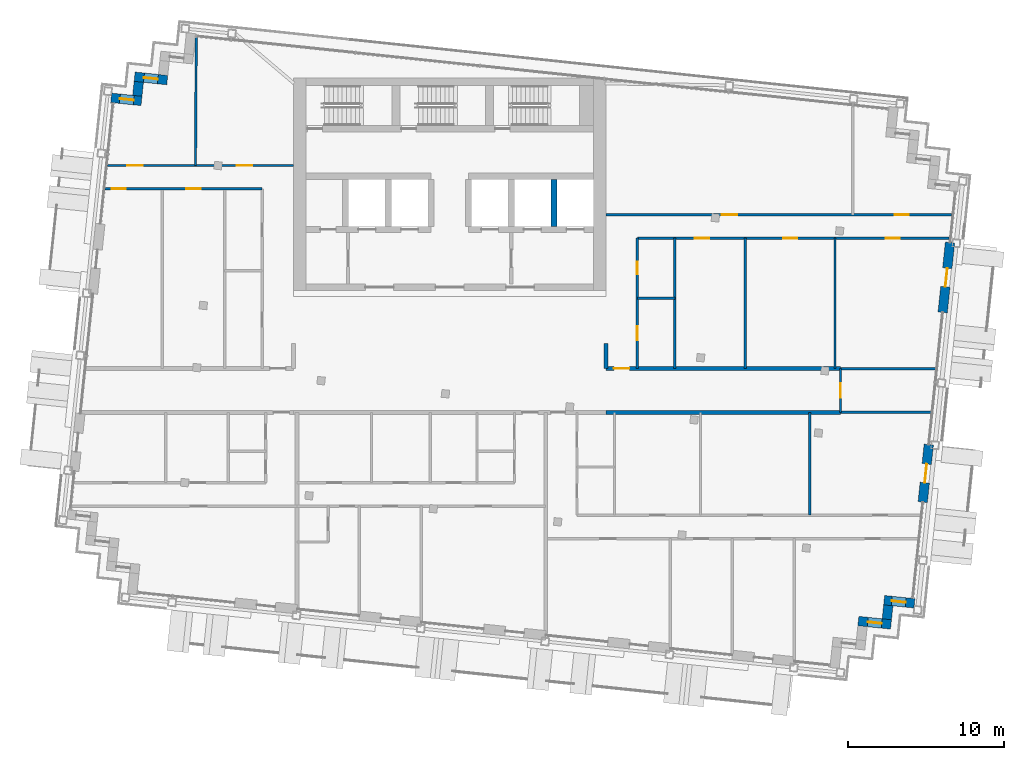
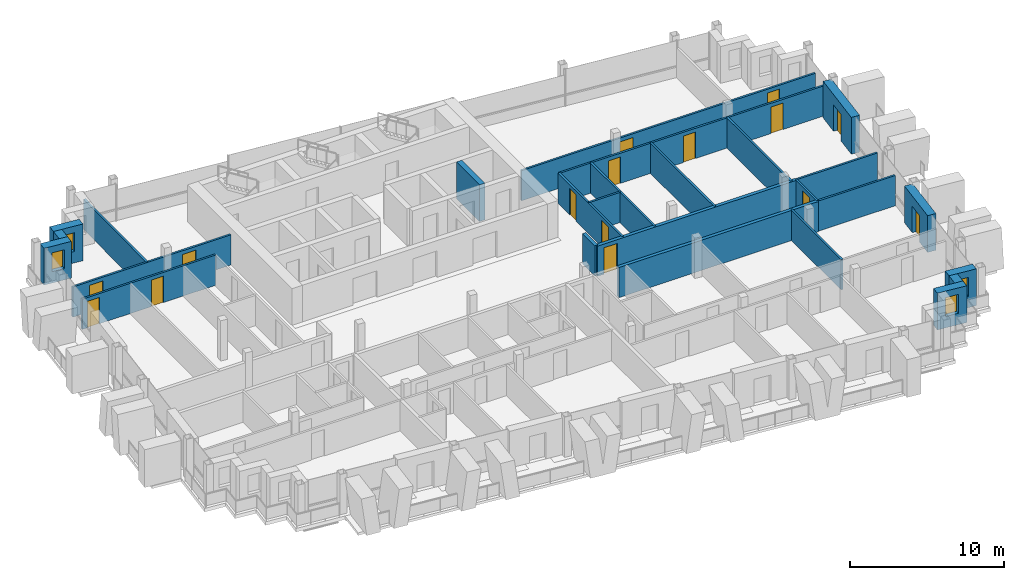
# One storey, part 11 of 16: 26 walls, 15 doors, 4 windows, 19 openings.
"""IFC4 building model written with IfcOpenShell, lengths in metres."""

from ifc_helpers import new_model, si_unit, direction, frame, frame_2d, origin, place, context, subcontext, project, spatial, rectangle, extrude, material, layer, layer_set, type_object, element, fill, save


model = new_model("IFC4")

# Units and contexts
model_context = context("Model", 3, precision=1e-05, world=origin(), true_north=direction((0.0, 1.0)))
body_context = subcontext(model_context, "Body", "Model", "MODEL_VIEW")
ifc_project = project(units=[si_unit("LENGTHUNIT", "METRE"), si_unit("AREAUNIT", "SQUARE_METRE"), si_unit("VOLUMEUNIT", "CUBIC_METRE"), si_unit("PLANEANGLEUNIT", "RADIAN"), si_unit("MASSUNIT", "GRAM", prefix="KILO")], contexts=[model_context])

# Site, building, storey
site_placement = place(None, origin())
site = spatial("IfcSite", under=ifc_project, at=site_placement, CompositionType="ELEMENT")
building_placement = place(site_placement, origin())
building = spatial("IfcBuilding", under=site, at=building_placement, Name="Vidyagriha Tower", CompositionType="ELEMENT")
storey_placement = place(building_placement, frame((0.0, 0.0, 272.300048828125)))
storey = spatial("IfcBuildingStorey", under=building, at=storey_placement, Name="L71", CompositionType="ELEMENT", Elevation=272.300048828125)

# Wall, opening, window
ifc_material_1 = material(Name="Precast concrete C40/50 with brick facing", Category="concrete")
ifc_layer_1 = layer(ifc_material_1, 0.60009765625)
ifc_layer_set_1 = layer_set([ifc_layer_1], Name="Precast concrete C40/50 with brick facing")
wall_type_1 = type_object("IfcWallType", Name="Brick-faced precast wall 600", PredefinedType="STANDARD", material=ifc_layer_set_1)
wall_1_placement = place(storey_placement, frame((-18.077392578125, 19.859130859375, 0.0), z_axis=(0.0, 0.0, 1.0), x_axis=(-0.994522640205, 0.104521376379, 0.0)))
wall_1 = element("IfcWall", 1, at=wall_1_placement, inside=storey, type_object=wall_type_1, Name="Stepped corner wall L71 R11", PredefinedType="STANDARD", context=body_context, shape_type="SweptSolid", body=[
    extrude(rectangle(XDim=2.099853515625, YDim=0.60009765625, at=frame_2d((1.0498046875, 0.0))), origin(), (0.0, 0.0, 1.0), 2.919921875),
])
opening_1_placement = place(wall_1_placement, frame((0.60009765625, 0.0, 0.89990234375)))
opening_1 = element("IfcOpeningElement", 2, at=opening_1_placement, cuts=wall_1, Name="Opening WN1", PredefinedType="OPENING", context=body_context, shape_type="SweptSolid", body=[
    extrude(rectangle(XDim=0.89990234375, YDim=1.5, at=frame_2d((0.449951171875, 0.75))), frame((0.0, 0.31005859375, 0.0), z_axis=(0.0, -1.0, 0.0), x_axis=(1.0, 0.0, 0.0)), (0.0, 0.0, 1.0), 0.6201171875),
])
ifc_material_2 = material(Name="Aluminium and glass window", Category="aluminium")
window_type = type_object("IfcWindowType", Name="Reveal window 900x1500", PartitioningType="NOTDEFINED", PredefinedType="WINDOW", material=ifc_material_2)
window_1_placement = place(opening_1_placement, origin())
window_1 = element("IfcWindow", 3, at=window_1_placement, inside=storey, type_object=window_type, Name="Reveal window L71 R11", OverallHeight=1.5, OverallWidth=0.89990234375, PartitioningType="SINGLE_PANEL", PredefinedType="WINDOW", context=body_context, shape_type="SweptSolid", body=[
    extrude(rectangle(XDim=0.89990234375, YDim=1.5, at=frame_2d((0.449951171875, 0.75))), frame((0.0, 0.030029296875, 0.0), z_axis=(0.0, -1.0, 0.0), x_axis=(1.0, 0.0, 0.0)), (0.0, 0.0, 1.0), 0.06005859375),
])
fill(opening_1, window_1)

# Wall
wall_2_placement = place(storey_placement, frame((-19.898681640625, 19.748779296875, 0.0), z_axis=(0.0, 0.0, 1.0), x_axis=(-0.104741284723, -0.994499503909, 0.0)))
element("IfcWall", 4, at=wall_2_placement, inside=storey, type_object=wall_type_1, Name="Stepped corner wall L71 R12", PredefinedType="STANDARD", context=body_context, shape_type="SweptSolid", body=[
    extrude(rectangle(XDim=0.899658203125, YDim=0.60009765625, at=frame_2d((0.44970703125, 0.0))), origin(), (0.0, 0.0, 1.0), 2.919921875),
])

# Wall, opening, window
wall_3_placement = place(storey_placement, frame((-19.725830078125, 18.5244140625, 0.0), z_axis=(0.0, 0.0, 1.0), x_axis=(-0.994534226826, 0.104411070641, 0.0)))
wall_3 = element("IfcWall", 5, at=wall_3_placement, inside=storey, type_object=wall_type_1, Name="Stepped corner wall L71 R13", PredefinedType="STANDARD", context=body_context, shape_type="SweptSolid", body=[
    extrude(rectangle(XDim=1.9501953125, YDim=0.60009765625, at=frame_2d((0.97509765625, 0.0))), origin(), (0.0, 0.0, 1.0), 2.919921875),
])
opening_2_placement = place(wall_3_placement, frame((0.489990234375, 0.0, 0.89990234375)))
opening_2 = element("IfcOpeningElement", 6, at=opening_2_placement, cuts=wall_3, Name="Opening WN1", PredefinedType="OPENING", context=body_context, shape_type="SweptSolid", body=[
    extrude(rectangle(XDim=0.89990234375, YDim=1.5, at=frame_2d((0.449951171875, 0.75))), frame((0.0, 0.31005859375, 0.0), z_axis=(0.0, -1.0, 0.0), x_axis=(1.0, 0.0, 0.0)), (0.0, 0.0, 1.0), 0.6201171875),
])
window_2_placement = place(opening_2_placement, origin())
window_2 = element("IfcWindow", 7, at=window_2_placement, inside=storey, type_object=window_type, Name="Reveal window L71 R13", OverallHeight=1.5, OverallWidth=0.89990234375, PartitioningType="SINGLE_PANEL", PredefinedType="WINDOW", context=body_context, shape_type="SweptSolid", body=[
    extrude(rectangle(XDim=0.89990234375, YDim=1.5, at=frame_2d((0.449951171875, 0.75))), frame((0.0, 0.030029296875, 0.0), z_axis=(0.0, -1.0, 0.0), x_axis=(1.0, 0.0, 0.0)), (0.0, 0.0, 1.0), 0.06005859375),
])
fill(opening_2, window_2)

wall_4_placement = place(storey_placement, frame((26.147216796875, -14.753173828125, 0.0), z_axis=(0.0, 0.0, 1.0), x_axis=(0.994522640205, -0.104521376379, 0.0)))
wall_4 = element("IfcWall", 8, at=wall_4_placement, inside=storey, type_object=wall_type_1, Name="Stepped corner wall L71 R25", PredefinedType="STANDARD", context=body_context, shape_type="SweptSolid", body=[
    extrude(rectangle(XDim=2.099853515625, YDim=0.60009765625, at=frame_2d((1.0498046875, 0.0))), origin(), (0.0, 0.0, 1.0), 2.919921875),
])
opening_3_placement = place(wall_4_placement, frame((0.599853515625, 0.0, 0.89990234375)))
opening_3 = element("IfcOpeningElement", 9, at=opening_3_placement, cuts=wall_4, Name="Opening WN1", PredefinedType="OPENING", context=body_context, shape_type="SweptSolid", body=[
    extrude(rectangle(XDim=0.89990234375, YDim=1.5, at=frame_2d((0.449951171875, 0.75))), frame((0.0, 0.31005859375, 0.0), z_axis=(0.0, -1.0, 0.0), x_axis=(1.0, 0.0, 0.0)), (0.0, 0.0, 1.0), 0.6201171875),
])
window_3_placement = place(opening_3_placement, origin())
window_3 = element("IfcWindow", 10, at=window_3_placement, inside=storey, type_object=window_type, Name="Reveal window L71 R25", OverallHeight=1.5, OverallWidth=0.89990234375, PartitioningType="SINGLE_PANEL", PredefinedType="WINDOW", context=body_context, shape_type="SweptSolid", body=[
    extrude(rectangle(XDim=0.89990234375, YDim=1.5, at=frame_2d((0.449951171875, 0.75))), frame((0.0, 0.030029296875, 0.0), z_axis=(0.0, -1.0, 0.0), x_axis=(1.0, 0.0, 0.0)), (0.0, 0.0, 1.0), 0.06005859375),
])
fill(opening_3, window_3)

# Wall
wall_5_placement = place(storey_placement, frame((27.968505859375, -14.64306640625, 0.0), z_axis=(0.0, 0.0, 1.0), x_axis=(0.104416541099, 0.994533652495, 0.0)))
element("IfcWall", 11, at=wall_5_placement, inside=storey, type_object=wall_type_1, Name="Stepped corner wall L71 R26", PredefinedType="STANDARD", context=body_context, shape_type="SweptSolid", body=[
    extrude(rectangle(XDim=0.900146484375, YDim=0.60009765625, at=frame_2d((0.4501953125, 0.0))), origin(), (0.0, 0.0, 1.0), 2.919921875),
])

# Wall, opening, window
wall_6_placement = place(storey_placement, frame((27.795654296875, -13.418212890625, 0.0), z_axis=(0.0, 0.0, 1.0), x_axis=(0.994519850893, -0.104547913319, 0.0)))
wall_6 = element("IfcWall", 12, at=wall_6_placement, inside=storey, type_object=wall_type_1, Name="Stepped corner wall L71 R27", PredefinedType="STANDARD", context=body_context, shape_type="SweptSolid", body=[
    extrude(rectangle(XDim=1.949951171875, YDim=0.60009765625, at=frame_2d((0.97509765625, 0.0))), origin(), (0.0, 0.0, 1.0), 2.919921875),
])
opening_4_placement = place(wall_6_placement, frame((0.489990234375, 0.0, 0.89990234375)))
opening_4 = element("IfcOpeningElement", 13, at=opening_4_placement, cuts=wall_6, Name="Opening WN1", PredefinedType="OPENING", context=body_context, shape_type="SweptSolid", body=[
    extrude(rectangle(XDim=0.89990234375, YDim=1.5, at=frame_2d((0.449951171875, 0.75))), frame((0.0, 0.31005859375, 0.0), z_axis=(0.0, -1.0, 0.0), x_axis=(1.0, 0.0, 0.0)), (0.0, 0.0, 1.0), 0.6201171875),
])
window_4_placement = place(opening_4_placement, origin())
window_4 = element("IfcWindow", 14, at=window_4_placement, inside=storey, type_object=window_type, Name="Reveal window L71 R27", OverallHeight=1.5, OverallWidth=0.89990234375, PartitioningType="SINGLE_PANEL", PredefinedType="WINDOW", context=body_context, shape_type="SweptSolid", body=[
    extrude(rectangle(XDim=0.89990234375, YDim=1.5, at=frame_2d((0.449951171875, 0.75))), frame((0.0, 0.030029296875, 0.0), z_axis=(0.0, -1.0, 0.0), x_axis=(1.0, 0.0, 0.0)), (0.0, 0.0, 1.0), 0.06005859375),
])
fill(opening_4, window_4)

# Wall, opening, door
wall_7_placement = place(storey_placement, frame((30.26513671875, -7.14208984375, 0.0), z_axis=(0.0, 0.0, 1.0), x_axis=(0.104513052986, 0.994523514933, 0.0)))
wall_7 = element("IfcWall", 15, at=wall_7_placement, inside=storey, type_object=wall_type_1, Name="Brick door bay wall L71 R28.3", PredefinedType="STANDARD", context=body_context, shape_type="SweptSolid", body=[
    extrude(rectangle(XDim=3.7001953125, YDim=0.60009765625, at=frame_2d((1.85009765625, 0.0))), origin(), (0.0, 0.0, 1.0), 2.919921875),
])
opening_5_placement = place(wall_7_placement, frame((1.25, 0.0, 0.0)))
opening_5 = element("IfcOpeningElement", 16, at=opening_5_placement, cuts=wall_7, Name="Opening D71-59", PredefinedType="OPENING", context=body_context, shape_type="SweptSolid", body=[
    extrude(rectangle(XDim=1.199951171875, YDim=2.10009765625, at=frame_2d((0.60009765625, 1.050048828125))), frame((0.0, 0.31005859375, 0.0), z_axis=(0.0, -1.0, 0.0), x_axis=(1.0, 0.0, 0.0)), (0.0, 0.0, 1.0), 0.6201171875),
])
ifc_material_3 = material(Name="Aluminium framed glazed sliding door", Category="aluminium")
door_type_1 = type_object("IfcDoorType", Name="Balcony sliding door 1200x2100", OperationType="NOTDEFINED", PredefinedType="DOOR", material=ifc_material_3)
door_1_placement = place(opening_5_placement, origin())
door_1 = element("IfcDoor", 17, at=door_1_placement, inside=storey, type_object=door_type_1, Name="Door D71-59", OperationType="SLIDING_TO_LEFT", OverallHeight=2.10009765625, OverallWidth=1.199951171875, PredefinedType="DOOR", context=body_context, shape_type="SweptSolid", body=[
    extrude(rectangle(XDim=1.199951171875, YDim=2.10009765625, at=frame_2d((0.60009765625, 1.050048828125))), frame((0.0, 0.02490234375, 0.0), z_axis=(0.0, -1.0, 0.0), x_axis=(1.0, 0.0, 0.0)), (0.0, 0.0, 1.0), 0.050048828125),
])
fill(opening_5, door_1)

wall_8_placement = place(storey_placement, frame((31.540283203125, 4.9912109375, 0.0), z_axis=(0.0, 0.0, 1.0), x_axis=(0.104546400045, 0.994520009974, 0.0)))
wall_8 = element("IfcWall", 18, at=wall_8_placement, inside=storey, type_object=wall_type_1, Name="Brick door bay wall L71 R28.6", PredefinedType="STANDARD", context=body_context, shape_type="SweptSolid", body=[
    extrude(rectangle(XDim=4.5, YDim=0.60009765625, at=frame_2d((2.25, 0.0))), origin(), (0.0, 0.0, 1.0), 2.919921875),
])
opening_6_placement = place(wall_8_placement, frame((1.64990234375, 0.0, 0.0)))
opening_6 = element("IfcOpeningElement", 19, at=opening_6_placement, cuts=wall_8, Name="Opening D71-60", PredefinedType="OPENING", context=body_context, shape_type="SweptSolid", body=[
    extrude(rectangle(XDim=1.199951171875, YDim=2.10009765625, at=frame_2d((0.60009765625, 1.050048828125))), frame((0.0, 0.31005859375, 0.0), z_axis=(0.0, -1.0, 0.0), x_axis=(1.0, 0.0, 0.0)), (0.0, 0.0, 1.0), 0.6201171875),
])
door_2_placement = place(opening_6_placement, origin())
door_2 = element("IfcDoor", 20, at=door_2_placement, inside=storey, type_object=door_type_1, Name="Door D71-60", OperationType="SLIDING_TO_LEFT", OverallHeight=2.10009765625, OverallWidth=1.199951171875, PredefinedType="DOOR", context=body_context, shape_type="SweptSolid", body=[
    extrude(rectangle(XDim=1.199951171875, YDim=2.10009765625, at=frame_2d((0.60009765625, 1.050048828125))), frame((0.0, 0.02490234375, 0.0), z_axis=(0.0, -1.0, 0.0), x_axis=(1.0, 0.0, 0.0)), (0.0, 0.0, 1.0), 0.050048828125),
])
fill(opening_6, door_2)

# Walls
ifc_material_4 = material(Name="Concrete C60/75", Category="concrete")
ifc_layer_2 = layer(ifc_material_4, 0.39990234375)
ifc_layer_set_2 = layer_set([ifc_layer_2], Name="Concrete C60/75")
wall_type_2 = type_object("IfcWallType", Name="Core shear wall 400 mm", PredefinedType="SHEAR", material=ifc_layer_set_2)
wall_9_placement = place(storey_placement, frame((6.666748046875, 10.5, 0.0), z_axis=(0.0, 0.0, 1.0), x_axis=(0.0, 1.0, 0.0)))
element("IfcWall", 21, at=wall_9_placement, inside=storey, type_object=wall_type_2, Name="Core bay wall N6", PredefinedType="SHEAR", context=body_context, shape_type="SweptSolid", body=[
    extrude(rectangle(XDim=3.0, YDim=0.39990234375, at=frame_2d((1.5, 0.0))), origin(), (0.0, 0.0, 1.0), 2.919921875),
])
ifc_material_5 = material(Name="Fired clay brick masonry", Category="masonry")
ifc_layer_3 = layer(ifc_material_5, 0.25)
ifc_layer_set_3 = layer_set([ifc_layer_3], Name="Fired clay brick masonry")
wall_type_3 = type_object("IfcWallType", Name="Fired clay brick corridor wall 250", PredefinedType="PARTITIONING", material=ifc_layer_set_3)
wall_10_placement = place(storey_placement, frame((25.0, -1.39990234375, 0.0), z_axis=(0.0, 0.0, 1.0), x_axis=(-1.0, 0.0, 0.0)))
element("IfcWall", 22, at=wall_10_placement, inside=storey, type_object=wall_type_3, Name="Wall all-L71-w057", PredefinedType="PARTITIONING", context=body_context, shape_type="SweptSolid", body=[
    extrude(rectangle(XDim=15.0, YDim=0.25, at=frame_2d((7.5, 0.0))), origin(), (0.0, 0.0, 1.0), 2.39990234375),
])

# Wall, opening, door
wall_11_placement = place(storey_placement, frame((10.0, 1.39990234375, 0.0)))
wall_11 = element("IfcWall", 23, at=wall_11_placement, inside=storey, type_object=wall_type_3, Name="Wall all-L71-w090", PredefinedType="PARTITIONING", context=body_context, shape_type="SweptSolid", body=[
    extrude(rectangle(XDim=15.0, YDim=0.25, at=frame_2d((7.5, 0.0))), origin(), (0.0, 0.0, 1.0), 2.39990234375),
])
opening_7_placement = place(wall_11_placement, frame((0.5, 0.0, 0.0)))
opening_7 = element("IfcOpeningElement", 24, at=opening_7_placement, cuts=wall_11, Name="Opening D71-50", PredefinedType="OPENING", context=body_context, shape_type="SweptSolid", body=[
    extrude(rectangle(XDim=1.0, YDim=2.10009765625, at=frame_2d((0.5, 1.050048828125))), frame((0.0, 0.135009765625, 0.0), z_axis=(0.0, -1.0, 0.0), x_axis=(1.0, 0.0, 0.0)), (0.0, 0.0, 1.0), 0.27001953125),
])
ifc_material_6 = material(Name="Fire-rated timber door leaf EI 60", Category="wood")
door_type_2 = type_object("IfcDoorType", Name="Flat entrance fire door 1000x2100", OperationType="NOTDEFINED", PredefinedType="DOOR", material=ifc_material_6)
door_3_placement = place(opening_7_placement, origin())
door_3 = element("IfcDoor", 25, at=door_3_placement, inside=storey, type_object=door_type_2, Name="Door D71-50", OperationType="SINGLE_SWING_LEFT", OverallHeight=2.10009765625, OverallWidth=1.0, PredefinedType="DOOR", context=body_context, shape_type="SweptSolid", body=[
    extrude(rectangle(XDim=1.0, YDim=2.10009765625, at=frame_2d((0.5, 1.050048828125))), frame((0.0, 0.02490234375, 0.0), z_axis=(0.0, -1.0, 0.0), x_axis=(1.0, 0.0, 0.0)), (0.0, 0.0, 1.0), 0.050048828125),
])
fill(opening_7, door_3)

# Walls
wall_12_placement = place(storey_placement, frame((10.0, 1.39990234375, 0.0), z_axis=(0.0, 0.0, 1.0), x_axis=(0.0, 1.0, 0.0)))
element("IfcWall", 26, at=wall_12_placement, inside=storey, type_object=wall_type_3, Name="Wall all-L71-w096", PredefinedType="PARTITIONING", context=body_context, shape_type="SweptSolid", body=[
    extrude(rectangle(XDim=1.60009765625, YDim=0.25, at=frame_2d((0.800048828125, 0.0))), origin(), (0.0, 0.0, 1.0), 2.39990234375),
])
ifc_material_7 = material(Name="Gypsum board partition")
ifc_layer_4 = layer(ifc_material_7, 0.14990234375)
ifc_layer_set_4 = layer_set([ifc_layer_4], Name="Gypsum board partition")
wall_type_4 = type_object("IfcWallType", Name="Gypsum board partition 150", PredefinedType="PARTITIONING", material=ifc_layer_set_4)
wall_13_placement = place(storey_placement, frame((23.0419921875, -1.39990234375, 0.0), z_axis=(0.0, 0.0, 1.0), x_axis=(0.0, -1.0, 0.0)))
element("IfcWall", 27, at=wall_13_placement, inside=storey, type_object=wall_type_4, Name="Wall all-L71-w041", PredefinedType="PARTITIONING", context=body_context, shape_type="SweptSolid", body=[
    extrude(rectangle(XDim=6.581787109375, YDim=0.14990234375, at=frame_2d((3.291015625, 0.0))), origin(), (0.0, 0.0, 1.0), 2.39990234375),
])
wall_14_placement = place(storey_placement, frame((30.79833984375, -1.39990234375, 0.0), z_axis=(0.0, 0.0, 1.0), x_axis=(-1.0, 0.0, 0.0)))
element("IfcWall", 28, at=wall_14_placement, inside=storey, type_object=wall_type_4, Name="Wall all-L71-w058", PredefinedType="PARTITIONING", context=body_context, shape_type="SweptSolid", body=[
    extrude(rectangle(XDim=5.79833984375, YDim=0.14990234375, at=frame_2d((2.899169921875, 0.0))), origin(), (0.0, 0.0, 1.0), 2.39990234375),
])

# Wall, openings, doors
wall_15_placement = place(storey_placement, frame((-12.0, 12.89990234375, 0.0), z_axis=(0.0, 0.0, 1.0), x_axis=(-1.0, 0.0, 0.0)))
wall_15 = element("IfcWall", 29, at=wall_15_placement, inside=storey, type_object=wall_type_4, Name="Wall all-L71-w065", PredefinedType="PARTITIONING", context=body_context, shape_type="SweptSolid", body=[
    extrude(rectangle(XDim=10.04736328125, YDim=0.14990234375, at=frame_2d((5.023681640625, 0.0))), origin(), (0.0, 0.0, 1.0), 2.39990234375),
])
opening_8_placement = place(wall_15_placement, frame((3.949951171875, 0.0, 0.0)))
opening_8 = element("IfcOpeningElement", 30, at=opening_8_placement, cuts=wall_15, Name="Opening D71-38", PredefinedType="OPENING", context=body_context, shape_type="SweptSolid", body=[
    extrude(rectangle(XDim=0.89990234375, YDim=2.10009765625, at=frame_2d((0.449951171875, 1.050048828125))), frame((0.0, 0.0849609375, 0.0), z_axis=(0.0, -1.0, 0.0), x_axis=(1.0, 0.0, 0.0)), (0.0, 0.0, 1.0), 0.169921875),
])
opening_9_placement = place(wall_15_placement, frame((8.743896484375, 0.0, 0.0)))
opening_9 = element("IfcOpeningElement", 31, at=opening_9_placement, cuts=wall_15, Name="Opening D71-39", PredefinedType="OPENING", context=body_context, shape_type="SweptSolid", body=[
    extrude(rectangle(XDim=0.89990234375, YDim=2.10009765625, at=frame_2d((0.449951171875, 1.050048828125))), frame((0.0, 0.0849609375, 0.0), z_axis=(0.0, -1.0, 0.0), x_axis=(1.0, 0.0, 0.0)), (0.0, 0.0, 1.0), 0.169921875),
])
ifc_material_8 = material(Name="Timber door leaf", Category="wood")
door_type_3 = type_object("IfcDoorType", Name="Room door 900x2100", OperationType="NOTDEFINED", PredefinedType="DOOR", material=ifc_material_8)
door_4_placement = place(opening_8_placement, origin())
door_4 = element("IfcDoor", 32, at=door_4_placement, inside=storey, type_object=door_type_3, Name="Door D71-38", OperationType="SINGLE_SWING_LEFT", OverallHeight=2.10009765625, OverallWidth=0.89990234375, PredefinedType="DOOR", context=body_context, shape_type="SweptSolid", body=[
    extrude(rectangle(XDim=0.89990234375, YDim=2.10009765625, at=frame_2d((0.449951171875, 1.050048828125))), frame((0.0, 0.02490234375, 0.0), z_axis=(0.0, -1.0, 0.0), x_axis=(1.0, 0.0, 0.0)), (0.0, 0.0, 1.0), 0.050048828125),
])
fill(opening_8, door_4)
door_5_placement = place(opening_9_placement, origin())
door_5 = element("IfcDoor", 33, at=door_5_placement, inside=storey, type_object=door_type_3, Name="Door D71-39", OperationType="SINGLE_SWING_RIGHT", OverallHeight=2.10009765625, OverallWidth=0.89990234375, PredefinedType="DOOR", context=body_context, shape_type="SweptSolid", body=[
    extrude(rectangle(XDim=0.89990234375, YDim=2.10009765625, at=frame_2d((0.449951171875, 1.050048828125))), frame((0.0, 0.02490234375, 0.0), z_axis=(0.0, -1.0, 0.0), x_axis=(1.0, 0.0, 0.0)), (0.0, 0.0, 1.0), 0.050048828125),
])
fill(opening_9, door_5)

wall_16_placement = place(storey_placement, frame((-21.889892578125, 14.39990234375, 0.0)))
wall_16 = element("IfcWall", 34, at=wall_16_placement, inside=storey, type_object=wall_type_4, Name="Wall all-L71-w068", PredefinedType="PARTITIONING", context=body_context, shape_type="SweptSolid", body=[
    extrude(rectangle(XDim=11.889892578125, YDim=0.14990234375, at=frame_2d((5.94482421875, 0.0))), origin(), (0.0, 0.0, 1.0), 2.39990234375),
])
opening_10_placement = place(wall_16_placement, frame((1.259765625, 0.0, 0.0)))
opening_10 = element("IfcOpeningElement", 35, at=opening_10_placement, cuts=wall_16, Name="Opening D71-40", PredefinedType="OPENING", context=body_context, shape_type="SweptSolid", body=[
    extrude(rectangle(XDim=1.0, YDim=2.10009765625, at=frame_2d((0.5, 1.050048828125))), frame((0.0, 0.0849609375, 0.0), z_axis=(0.0, -1.0, 0.0), x_axis=(1.0, 0.0, 0.0)), (0.0, 0.0, 1.0), 0.169921875),
])
opening_11_placement = place(wall_16_placement, frame((8.25390625, 0.0, 0.0)))
opening_11 = element("IfcOpeningElement", 36, at=opening_11_placement, cuts=wall_16, Name="Opening D71-41", PredefinedType="OPENING", context=body_context, shape_type="SweptSolid", body=[
    extrude(rectangle(XDim=1.0, YDim=2.10009765625, at=frame_2d((0.5, 1.050048828125))), frame((0.0, 0.0849609375, 0.0), z_axis=(0.0, -1.0, 0.0), x_axis=(1.0, 0.0, 0.0)), (0.0, 0.0, 1.0), 0.169921875),
])
ifc_material_9 = material(Name="Timber door leaf", Category="wood")
door_type_4 = type_object("IfcDoorType", Name="Room door 1000x2100", OperationType="NOTDEFINED", PredefinedType="DOOR", material=ifc_material_9)
door_6_placement = place(opening_10_placement, origin())
door_6 = element("IfcDoor", 37, at=door_6_placement, inside=storey, type_object=door_type_4, Name="Door D71-40", OperationType="SINGLE_SWING_LEFT", OverallHeight=2.10009765625, OverallWidth=1.0, PredefinedType="DOOR", context=body_context, shape_type="SweptSolid", body=[
    extrude(rectangle(XDim=1.0, YDim=2.10009765625, at=frame_2d((0.5, 1.050048828125))), frame((0.0, 0.02490234375, 0.0), z_axis=(0.0, -1.0, 0.0), x_axis=(1.0, 0.0, 0.0)), (0.0, 0.0, 1.0), 0.050048828125),
])
fill(opening_10, door_6)
door_7_placement = place(opening_11_placement, origin())
door_7 = element("IfcDoor", 38, at=door_7_placement, inside=storey, type_object=door_type_4, Name="Door D71-41", OperationType="SINGLE_SWING_RIGHT", OverallHeight=2.10009765625, OverallWidth=1.0, PredefinedType="DOOR", context=body_context, shape_type="SweptSolid", body=[
    extrude(rectangle(XDim=1.0, YDim=2.10009765625, at=frame_2d((0.5, 1.050048828125))), frame((0.0, 0.02490234375, 0.0), z_axis=(0.0, -1.0, 0.0), x_axis=(1.0, 0.0, 0.0)), (0.0, 0.0, 1.0), 0.050048828125),
])
fill(opening_11, door_7)

# Walls
wall_17_placement = place(storey_placement, frame((-16.221923828125, 22.6103515625, 0.0), z_axis=(0.0, 0.0, 1.0), x_axis=(-0.006095634594, -0.999981421447, 0.0)))
element("IfcWall", 39, at=wall_17_placement, inside=storey, type_object=wall_type_4, Name="Wall all-L71-w071", PredefinedType="PARTITIONING", context=body_context, shape_type="SweptSolid", body=[
    extrude(rectangle(XDim=8.210693359375, YDim=0.14990234375, at=frame_2d((4.10546875, 0.0))), origin(), (0.0, 0.0, 1.0), 2.39990234375),
])
wall_18_placement = place(storey_placement, frame((12.0, 5.89990234375, 0.0)))
element("IfcWall", 40, at=wall_18_placement, inside=storey, type_object=wall_type_4, Name="Wall all-L71-w077", PredefinedType="PARTITIONING", context=body_context, shape_type="SweptSolid", body=[
    extrude(rectangle(XDim=2.39990234375, YDim=0.14990234375, at=frame_2d((1.199951171875, 0.0))), origin(), (0.0, 0.0, 1.0), 2.39990234375),
])
for number, where, z_axis, x_axis, name in (
    (41, (14.39990234375, 9.743408203125, 0.0), (0.0, 0.0, 1.0), (0.0, -1.0, 0.0), "Wall all-L71-w078"),
    (42, (18.89990234375, 9.743408203125, 0.0), (0.0, 0.0, 1.0), (0.0, -1.0, 0.0), "Wall all-L71-w079"),
    (43, (24.64990234375, 9.743408203125, 0.0), (0.0, 0.0, 1.0), (0.0, -1.0, 0.0), "Wall all-L71-w080"),
):
    element("IfcWall", number, at=place(storey_placement, frame(where, z_axis=z_axis, x_axis=x_axis)), inside=storey, type_object=wall_type_4, Name=name, PredefinedType="PARTITIONING", context=body_context, shape_type="SweptSolid", body=[
        extrude(rectangle(XDim=8.343505859375, YDim=0.14990234375, at=frame_2d((4.171875, 0.0))), origin(), (0.0, 0.0, 1.0), 2.39990234375),
    ])

# Wall, openings, doors
wall_19_placement = place(storey_placement, frame((31.96044921875, 9.743408203125, 0.0), z_axis=(0.0, 0.0, 1.0), x_axis=(-1.0, 0.0, 0.0)))
wall_19 = element("IfcWall", 44, at=wall_19_placement, inside=storey, type_object=wall_type_4, Name="Wall all-L71-w081", PredefinedType="PARTITIONING", context=body_context, shape_type="SweptSolid", body=[
    extrude(rectangle(XDim=19.96044921875, YDim=0.14990234375, at=frame_2d((9.980224609375, 0.0))), origin(), (0.0, 0.0, 1.0), 2.39990234375),
])
opening_12_placement = place(wall_19_placement, frame((15.371826171875, 0.0, 0.0)))
opening_12 = element("IfcOpeningElement", 45, at=opening_12_placement, cuts=wall_19, Name="Opening D71-45", PredefinedType="OPENING", context=body_context, shape_type="SweptSolid", body=[
    extrude(rectangle(XDim=0.89990234375, YDim=2.10009765625, at=frame_2d((0.449951171875, 1.050048828125))), frame((0.0, 0.0849609375, 0.0), z_axis=(0.0, -1.0, 0.0), x_axis=(1.0, 0.0, 0.0)), (0.0, 0.0, 1.0), 0.169921875),
])
opening_13_placement = place(wall_19_placement, frame((9.7353515625, 0.0, 0.0)))
opening_13 = element("IfcOpeningElement", 46, at=opening_13_placement, cuts=wall_19, Name="Opening D71-46", PredefinedType="OPENING", context=body_context, shape_type="SweptSolid", body=[
    extrude(rectangle(XDim=0.89990234375, YDim=2.10009765625, at=frame_2d((0.449951171875, 1.050048828125))), frame((0.0, 0.0849609375, 0.0), z_axis=(0.0, -1.0, 0.0), x_axis=(1.0, 0.0, 0.0)), (0.0, 0.0, 1.0), 0.169921875),
])
opening_14_placement = place(wall_19_placement, frame((3.156982421875, 0.0, 0.0)))
opening_14 = element("IfcOpeningElement", 47, at=opening_14_placement, cuts=wall_19, Name="Opening D71-47", PredefinedType="OPENING", context=body_context, shape_type="SweptSolid", body=[
    extrude(rectangle(XDim=0.89990234375, YDim=2.10009765625, at=frame_2d((0.449951171875, 1.050048828125))), frame((0.0, 0.0849609375, 0.0), z_axis=(0.0, -1.0, 0.0), x_axis=(1.0, 0.0, 0.0)), (0.0, 0.0, 1.0), 0.169921875),
])
door_8_placement = place(opening_12_placement, origin())
door_8 = element("IfcDoor", 48, at=door_8_placement, inside=storey, type_object=door_type_3, Name="Door D71-45", OperationType="SINGLE_SWING_RIGHT", OverallHeight=2.10009765625, OverallWidth=0.89990234375, PredefinedType="DOOR", context=body_context, shape_type="SweptSolid", body=[
    extrude(rectangle(XDim=0.89990234375, YDim=2.10009765625, at=frame_2d((0.449951171875, 1.050048828125))), frame((0.0, 0.02490234375, 0.0), z_axis=(0.0, -1.0, 0.0), x_axis=(1.0, 0.0, 0.0)), (0.0, 0.0, 1.0), 0.050048828125),
])
fill(opening_12, door_8)
door_9_placement = place(opening_13_placement, origin())
door_9 = element("IfcDoor", 49, at=door_9_placement, inside=storey, type_object=door_type_3, Name="Door D71-46", OperationType="SINGLE_SWING_RIGHT", OverallHeight=2.10009765625, OverallWidth=0.89990234375, PredefinedType="DOOR", context=body_context, shape_type="SweptSolid", body=[
    extrude(rectangle(XDim=0.89990234375, YDim=2.10009765625, at=frame_2d((0.449951171875, 1.050048828125))), frame((0.0, 0.02490234375, 0.0), z_axis=(0.0, -1.0, 0.0), x_axis=(1.0, 0.0, 0.0)), (0.0, 0.0, 1.0), 0.050048828125),
])
fill(opening_13, door_9)
door_10_placement = place(opening_14_placement, origin())
door_10 = element("IfcDoor", 50, at=door_10_placement, inside=storey, type_object=door_type_3, Name="Door D71-47", OperationType="SINGLE_SWING_LEFT", OverallHeight=2.10009765625, OverallWidth=0.89990234375, PredefinedType="DOOR", context=body_context, shape_type="SweptSolid", body=[
    extrude(rectangle(XDim=0.89990234375, YDim=2.10009765625, at=frame_2d((0.449951171875, 1.050048828125))), frame((0.0, 0.02490234375, 0.0), z_axis=(0.0, -1.0, 0.0), x_axis=(1.0, 0.0, 0.0)), (0.0, 0.0, 1.0), 0.050048828125),
])
fill(opening_14, door_10)

wall_20_placement = place(storey_placement, frame((10.0, 11.243408203125, 0.0)))
wall_20 = element("IfcWall", 51, at=wall_20_placement, inside=storey, type_object=wall_type_4, Name="Wall all-L71-w085", PredefinedType="PARTITIONING", context=body_context, shape_type="SweptSolid", body=[
    extrude(rectangle(XDim=22.1181640625, YDim=0.14990234375, at=frame_2d((11.05908203125, 0.0))), origin(), (0.0, 0.0, 1.0), 2.39990234375),
])
opening_15_placement = place(wall_20_placement, frame((7.3984375, 0.0, 0.0)))
opening_15 = element("IfcOpeningElement", 52, at=opening_15_placement, cuts=wall_20, Name="Opening D71-48", PredefinedType="OPENING", context=body_context, shape_type="SweptSolid", body=[
    extrude(rectangle(XDim=1.0, YDim=2.10009765625, at=frame_2d((0.5, 1.050048828125))), frame((0.0, 0.0849609375, 0.0), z_axis=(0.0, -1.0, 0.0), x_axis=(1.0, 0.0, 0.0)), (0.0, 0.0, 1.0), 0.169921875),
])
opening_16_placement = place(wall_20_placement, frame((18.476806640625, 0.0, 0.0)))
opening_16 = element("IfcOpeningElement", 53, at=opening_16_placement, cuts=wall_20, Name="Opening D71-49", PredefinedType="OPENING", context=body_context, shape_type="SweptSolid", body=[
    extrude(rectangle(XDim=0.89990234375, YDim=2.10009765625, at=frame_2d((0.449951171875, 1.050048828125))), frame((0.0, 0.0849609375, 0.0), z_axis=(0.0, -1.0, 0.0), x_axis=(1.0, 0.0, 0.0)), (0.0, 0.0, 1.0), 0.169921875),
])
door_11_placement = place(opening_15_placement, origin())
door_11 = element("IfcDoor", 54, at=door_11_placement, inside=storey, type_object=door_type_4, Name="Door D71-48", OperationType="SINGLE_SWING_RIGHT", OverallHeight=2.10009765625, OverallWidth=1.0, PredefinedType="DOOR", context=body_context, shape_type="SweptSolid", body=[
    extrude(rectangle(XDim=1.0, YDim=2.10009765625, at=frame_2d((0.5, 1.050048828125))), frame((0.0, 0.02490234375, 0.0), z_axis=(0.0, -1.0, 0.0), x_axis=(1.0, 0.0, 0.0)), (0.0, 0.0, 1.0), 0.050048828125),
])
fill(opening_15, door_11)
door_12_placement = place(opening_16_placement, origin())
door_12 = element("IfcDoor", 55, at=door_12_placement, inside=storey, type_object=door_type_3, Name="Door D71-49", OperationType="SINGLE_SWING_RIGHT", OverallHeight=2.10009765625, OverallWidth=0.89990234375, PredefinedType="DOOR", context=body_context, shape_type="SweptSolid", body=[
    extrude(rectangle(XDim=0.89990234375, YDim=2.10009765625, at=frame_2d((0.449951171875, 1.050048828125))), frame((0.0, 0.02490234375, 0.0), z_axis=(0.0, -1.0, 0.0), x_axis=(1.0, 0.0, 0.0)), (0.0, 0.0, 1.0), 0.050048828125),
])
fill(opening_16, door_12)

# Wall
wall_21_placement = place(storey_placement, frame((25.0, 1.39990234375, 0.0)))
element("IfcWall", 56, at=wall_21_placement, inside=storey, type_object=wall_type_4, Name="Wall all-L71-w091", PredefinedType="PARTITIONING", context=body_context, shape_type="SweptSolid", body=[
    extrude(rectangle(XDim=6.092529296875, YDim=0.14990234375, at=frame_2d((3.04638671875, 0.0))), origin(), (0.0, 0.0, 1.0), 2.39990234375),
])

# Wall, opening, door
wall_22_placement = place(storey_placement, frame((25.0, -1.39990234375, 0.0), z_axis=(0.0, 0.0, 1.0), x_axis=(0.0, 1.0, 0.0)))
wall_22 = element("IfcWall", 57, at=wall_22_placement, inside=storey, type_object=wall_type_4, Name="Wall all-L71-w092", PredefinedType="PARTITIONING", context=body_context, shape_type="SweptSolid", body=[
    extrude(rectangle(XDim=2.7998046875, YDim=0.14990234375, at=frame_2d((1.39990234375, 0.0))), origin(), (0.0, 0.0, 1.0), 2.39990234375),
])
opening_17_placement = place(wall_22_placement, frame((0.949951171875, 0.0, 0.0)))
opening_17 = element("IfcOpeningElement", 58, at=opening_17_placement, cuts=wall_22, Name="Opening D71-51", PredefinedType="OPENING", context=body_context, shape_type="SweptSolid", body=[
    extrude(rectangle(XDim=0.89990234375, YDim=2.10009765625, at=frame_2d((0.449951171875, 1.050048828125))), frame((0.0, 0.0849609375, 0.0), z_axis=(0.0, -1.0, 0.0), x_axis=(1.0, 0.0, 0.0)), (0.0, 0.0, 1.0), 0.169921875),
])
door_13_placement = place(opening_17_placement, origin())
door_13 = element("IfcDoor", 59, at=door_13_placement, inside=storey, type_object=door_type_3, Name="Door D71-51", OperationType="SINGLE_SWING_RIGHT", OverallHeight=2.10009765625, OverallWidth=0.89990234375, PredefinedType="DOOR", context=body_context, shape_type="SweptSolid", body=[
    extrude(rectangle(XDim=0.89990234375, YDim=2.10009765625, at=frame_2d((0.449951171875, 1.050048828125))), frame((0.0, 0.02490234375, 0.0), z_axis=(0.0, -1.0, 0.0), x_axis=(1.0, 0.0, 0.0)), (0.0, 0.0, 1.0), 0.050048828125),
])
fill(opening_17, door_13)

# Wall, openings, doors
ifc_material_10 = material(Name="Moisture resistant gypsum board partition")
ifc_layer_5 = layer(ifc_material_10, 0.14990234375)
ifc_layer_set_5 = layer_set([ifc_layer_5], Name="Moisture resistant gypsum board partition")
wall_type_5 = type_object("IfcWallType", Name="Gypsum board wet-area partition 150", PredefinedType="PARTITIONING", material=ifc_layer_set_5)
wall_23_placement = place(storey_placement, frame((12.0, 9.743408203125, 0.0), z_axis=(0.0, 0.0, 1.0), x_axis=(0.0, -1.0, 0.0)))
wall_23 = element("IfcWall", 60, at=wall_23_placement, inside=storey, type_object=wall_type_5, Name="Wall all-L71-w074", PredefinedType="PARTITIONING", context=body_context, shape_type="SweptSolid", body=[
    extrude(rectangle(XDim=8.343505859375, YDim=0.14990234375, at=frame_2d((4.171875, 0.0))), origin(), (0.0, 0.0, 1.0), 2.39990234375),
])
opening_18_placement = place(wall_23_placement, frame((5.643310546875, 0.0, 0.0)))
opening_18 = element("IfcOpeningElement", 61, at=opening_18_placement, cuts=wall_23, Name="Opening D71-43", PredefinedType="OPENING", context=body_context, shape_type="SweptSolid", body=[
    extrude(rectangle(XDim=0.89990234375, YDim=2.10009765625, at=frame_2d((0.449951171875, 1.050048828125))), frame((0.0, 0.0849609375, 0.0), z_axis=(0.0, -1.0, 0.0), x_axis=(1.0, 0.0, 0.0)), (0.0, 0.0, 1.0), 0.169921875),
])
opening_19_placement = place(wall_23_placement, frame((1.521728515625, 0.0, 0.0)))
opening_19 = element("IfcOpeningElement", 62, at=opening_19_placement, cuts=wall_23, Name="Opening D71-44", PredefinedType="OPENING", context=body_context, shape_type="SweptSolid", body=[
    extrude(rectangle(XDim=0.800048828125, YDim=2.10009765625, at=frame_2d((0.39990234375, 1.050048828125))), frame((0.0, 0.0849609375, 0.0), z_axis=(0.0, -1.0, 0.0), x_axis=(1.0, 0.0, 0.0)), (0.0, 0.0, 1.0), 0.169921875),
])
ifc_material_11 = material(Name="Timber door leaf", Category="wood")
door_type_5 = type_object("IfcDoorType", Name="Bathroom door 800x2100", OperationType="NOTDEFINED", PredefinedType="DOOR", material=ifc_material_11)
door_14_placement = place(opening_19_placement, origin())
door_14 = element("IfcDoor", 63, at=door_14_placement, inside=storey, type_object=door_type_5, Name="Door D71-44", OperationType="SINGLE_SWING_RIGHT", OverallHeight=2.10009765625, OverallWidth=0.800048828125, PredefinedType="DOOR", context=body_context, shape_type="SweptSolid", body=[
    extrude(rectangle(XDim=0.800048828125, YDim=2.10009765625, at=frame_2d((0.39990234375, 1.050048828125))), frame((0.0, 0.02490234375, 0.0), z_axis=(0.0, -1.0, 0.0), x_axis=(1.0, 0.0, 0.0)), (0.0, 0.0, 1.0), 0.050048828125),
])
fill(opening_19, door_14)
ifc_material_12 = material(Name="Timber door leaf", Category="wood")
door_type_6 = type_object("IfcDoorType", Name="Kitchen door 900x2100", OperationType="NOTDEFINED", PredefinedType="DOOR", material=ifc_material_12)
door_15_placement = place(opening_18_placement, origin())
door_15 = element("IfcDoor", 64, at=door_15_placement, inside=storey, type_object=door_type_6, Name="Door D71-43", OperationType="SINGLE_SWING_LEFT", OverallHeight=2.10009765625, OverallWidth=0.89990234375, PredefinedType="DOOR", context=body_context, shape_type="SweptSolid", body=[
    extrude(rectangle(XDim=0.89990234375, YDim=2.10009765625, at=frame_2d((0.449951171875, 1.050048828125))), frame((0.0, 0.02490234375, 0.0), z_axis=(0.0, -1.0, 0.0), x_axis=(1.0, 0.0, 0.0)), (0.0, 0.0, 1.0), 0.050048828125),
])
fill(opening_18, door_15)

save(model, "model.ifc")
